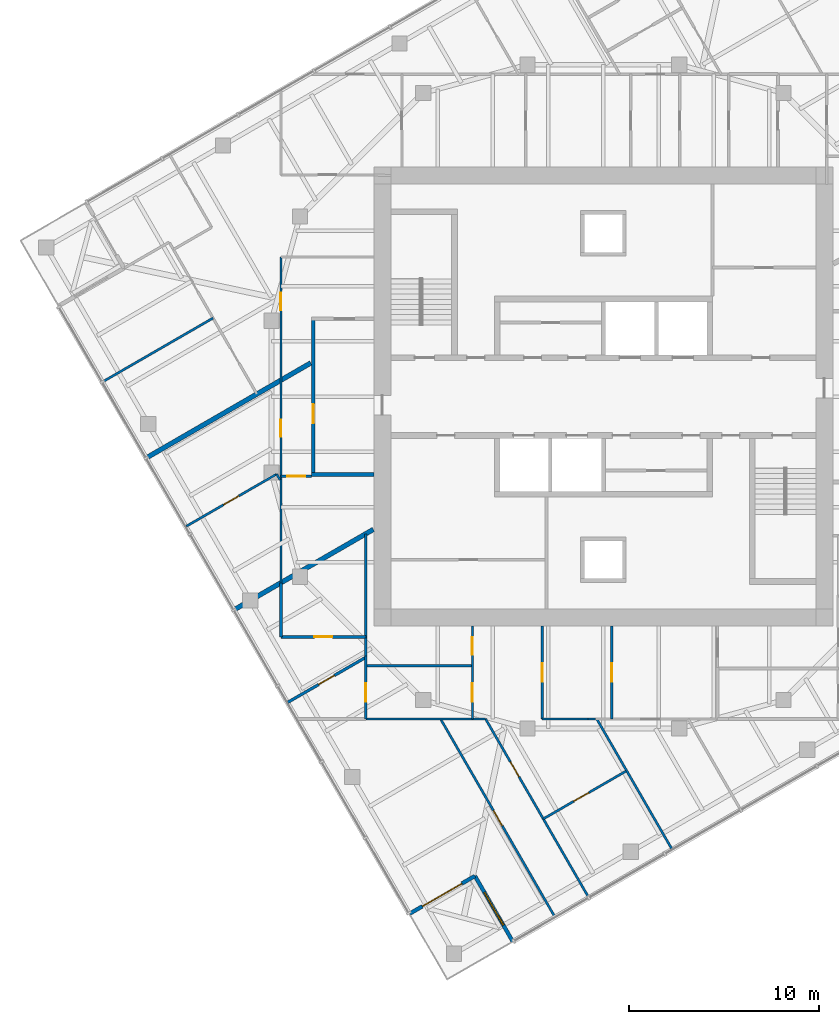
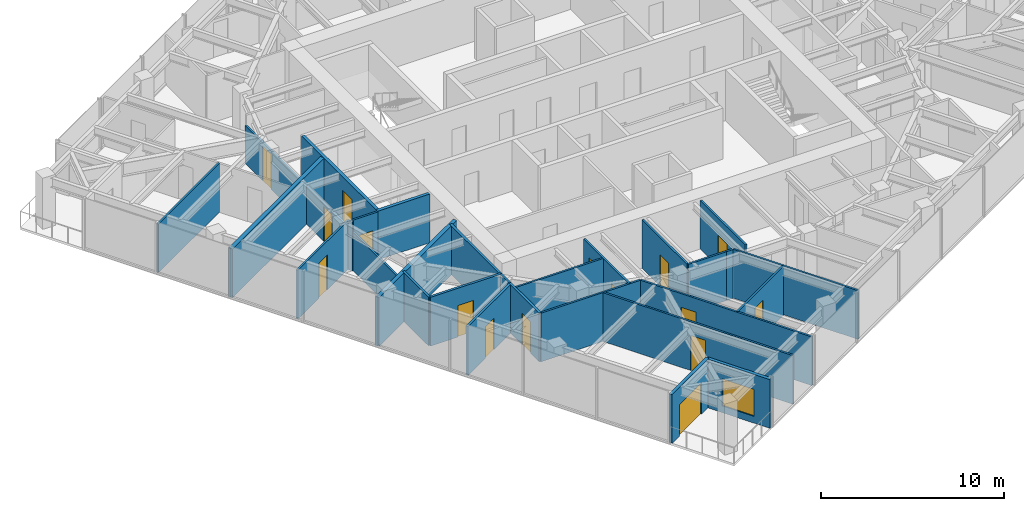
# One storey, part 7 of 13: 28 walls, 16 doors, 1 window, 17 openings.
"""IFC4 building model written with IfcOpenShell, lengths in metres."""

from ifc_helpers import new_model, si_unit, direction, frame, frame_2d, origin, place, context, subcontext, project, spatial, rectangle, extrude, material, layer, layer_set, type_object, element, fill, save


model = new_model("IFC4")

# Units and contexts
model_context = context("Model", 3, precision=1e-05, world=origin(), true_north=direction((0.0, 1.0)))
body_context = subcontext(model_context, "Body", "Model", "MODEL_VIEW")
ifc_project = project(units=[si_unit("LENGTHUNIT", "METRE"), si_unit("AREAUNIT", "SQUARE_METRE"), si_unit("VOLUMEUNIT", "CUBIC_METRE"), si_unit("PLANEANGLEUNIT", "RADIAN"), si_unit("MASSUNIT", "GRAM", prefix="KILO")], contexts=[model_context])

# Site, building, storey
site_placement = place(None, origin())
site = spatial("IfcSite", under=ifc_project, at=site_placement, CompositionType="ELEMENT")
building_placement = place(site_placement, origin())
building = spatial("IfcBuilding", under=site, at=building_placement, Name="Torsade Residences", CompositionType="ELEMENT")
storey_placement = place(building_placement, frame((0.0, 0.0, 215.0)))
storey = spatial("IfcBuildingStorey", under=building, at=storey_placement, Name="L59", CompositionType="ELEMENT", Elevation=215.0)

# Wall, opening, door
ifc_material_1 = material(Name="Plasterboard on steel stud", Category="steel")
ifc_layer_1 = layer(ifc_material_1, 0.199951171875)
ifc_layer_set_1 = layer_set([ifc_layer_1], Name="Plasterboard on steel stud")
wall_type_1 = type_object("IfcWallType", Name="CORRIDOR WALL 200", PredefinedType="PARTITIONING", material=ifc_layer_set_1)
wall_1_placement = place(storey_placement, frame((24.699951171875, 25.89990234375, 0.0), z_axis=(0.0, 0.0, 1.0), x_axis=(0.0, 1.0, 0.0)))
wall_1 = element("IfcWall", 1, at=wall_1_placement, inside=storey, type_object=wall_type_1, Name="Corridor wall L59", PredefinedType="PARTITIONING", context=body_context, shape_type="SweptSolid", body=[
    extrude(rectangle(XDim=8.2001953125, YDim=0.199951171875, at=frame_2d((4.10009765625, 0.0))), origin(), (0.0, 0.0, 1.0), 3.25),
])
opening_1_placement = place(wall_1_placement, frame((2.68701171875, 0.0, 0.0)))
opening_1 = element("IfcOpeningElement", 2, at=opening_1_placement, cuts=wall_1, Name="Opening D01", PredefinedType="OPENING", context=body_context, shape_type="SweptSolid", body=[
    extrude(rectangle(XDim=1.02001953125, YDim=2.340087890625, at=frame_2d((0.510009765625, 1.169921875))), frame((0.0, 0.10986328125, 0.0), z_axis=(0.0, -1.0, 0.0), x_axis=(1.0, 0.0, 0.0)), (0.0, 0.0, 1.0), 0.219970703125),
])
ifc_material_2 = material(Name="Solid-core timber fire door", Category="wood")
door_type_1 = type_object("IfcDoorType", Name="APARTMENT ENTRY DOOR 1020x2340", OperationType="NOTDEFINED", PredefinedType="DOOR", material=ifc_material_2)
door_1_placement = place(opening_1_placement, origin())
door_1 = element("IfcDoor", 3, at=door_1_placement, inside=storey, type_object=door_type_1, Name="Door Residential corridor to Kitchen and dining", OperationType="SINGLE_SWING_RIGHT", OverallHeight=2.340087890625, OverallWidth=1.02001953125, PredefinedType="DOOR", context=body_context, shape_type="SweptSolid", body=[
    extrude(rectangle(XDim=1.02001953125, YDim=2.340087890625, at=frame_2d((0.510009765625, 1.169921875))), frame((0.0, 0.02490234375, 0.0), z_axis=(0.0, -1.0, 0.0), x_axis=(1.0, 0.0, 0.0)), (0.0, 0.0, 1.0), 0.050048828125),
])
fill(opening_1, door_1)

# Wall
wall_2_placement = place(storey_placement, frame((27.89990234375, 25.89990234375, 0.0), z_axis=(0.0, 0.0, 1.0), x_axis=(-1.0, 0.0, 0.0)))
element("IfcWall", 4, at=wall_2_placement, inside=storey, type_object=wall_type_1, Name="Corridor wall L59", PredefinedType="PARTITIONING", context=body_context, shape_type="SweptSolid", body=[
    extrude(rectangle(XDim=3.2998046875, YDim=0.199951171875, at=frame_2d((1.64990234375, 0.0))), origin(), (0.0, 0.0, 1.0), 3.25),
])

# Wall, opening, door
ifc_material_3 = material(Name="Plasterboard on steel stud", Category="steel")
ifc_layer_2 = layer(ifc_material_3, 0.1201171875)
ifc_layer_set_2 = layer_set([ifc_layer_2], Name="Plasterboard on steel stud")
wall_type_2 = type_object("IfcWallType", Name="PARTITION 120", PredefinedType="PARTITIONING", material=ifc_layer_set_2)
wall_3_placement = place(storey_placement, frame((24.60009765625, 25.800048828125, 0.0), z_axis=(0.0, 0.0, 1.0), x_axis=(-1.0, 0.0, 0.0)))
wall_3 = element("IfcWall", 5, at=wall_3_placement, inside=storey, type_object=wall_type_2, Name="Partition L59", PredefinedType="PARTITIONING", context=body_context, shape_type="SweptSolid", body=[
    extrude(rectangle(XDim=1.60009765625, YDim=0.1201171875, at=frame_2d((0.800048828125, 0.0))), origin(), (0.0, 0.0, 1.0), 3.25),
])
opening_2_placement = place(wall_3_placement, frame((0.320068359375, 0.0, 0.0)))
opening_2 = element("IfcOpeningElement", 6, at=opening_2_placement, cuts=wall_3, Name="Opening D05", PredefinedType="OPENING", context=body_context, shape_type="SweptSolid", body=[
    extrude(rectangle(XDim=0.9599609375, YDim=2.10009765625, at=frame_2d((0.47998046875, 1.050048828125))), frame((0.0, 0.070068359375, 0.0), z_axis=(0.0, -1.0, 0.0), x_axis=(1.0, 0.0, 0.0)), (0.0, 0.0, 1.0), 0.14013671875),
])
ifc_material_4 = material(Name="Hollow-core timber door in a steel cavity frame", Category="steel")
door_type_2 = type_object("IfcDoorType", Name="BATHROOM CAVITY SLIDING DOOR 960", OperationType="SLIDING_TO_LEFT", PredefinedType="DOOR", material=ifc_material_4)
door_2_placement = place(opening_2_placement, origin())
door_2 = element("IfcDoor", 7, at=door_2_placement, inside=storey, type_object=door_type_2, Name="Door Kitchen and dining to Bathroom", OperationType="SLIDING_TO_LEFT", OverallHeight=2.10009765625, OverallWidth=0.9599609375, PredefinedType="DOOR", context=body_context, shape_type="SweptSolid", body=[
    extrude(rectangle(XDim=0.9599609375, YDim=2.10009765625, at=frame_2d((0.47998046875, 1.050048828125))), frame((0.0, 0.02490234375, 0.0), z_axis=(0.0, -1.0, 0.0), x_axis=(1.0, 0.0, 0.0)), (0.0, 0.0, 1.0), 0.050048828125),
])
fill(opening_2, door_2)

# Wall, openings, doors
wall_4_placement = place(storey_placement, frame((23.0, 20.18505859375, 0.0), z_axis=(0.0, 0.0, 1.0), x_axis=(0.0, 1.0, 0.0)))
wall_4 = element("IfcWall", 8, at=wall_4_placement, inside=storey, type_object=wall_type_2, Name="Partition L59", PredefinedType="PARTITIONING", context=body_context, shape_type="SweptSolid", body=[
    extrude(rectangle(XDim=17.180419921875, YDim=0.1201171875, at=frame_2d((8.59033203125, 0.0))), origin(), (0.0, 0.0, 1.0), 2.550048828125),
])
opening_3_placement = place(wall_4_placement, frame((7.68798828125, 0.0, 0.0)))
opening_3 = element("IfcOpeningElement", 9, at=opening_3_placement, cuts=wall_4, Name="Opening D02", PredefinedType="OPENING", context=body_context, shape_type="SweptSolid", body=[
    extrude(rectangle(XDim=0.919921875, YDim=2.340087890625, at=frame_2d((0.4599609375, 1.169921875))), frame((0.0, 0.070068359375, 0.0), z_axis=(0.0, -1.0, 0.0), x_axis=(1.0, 0.0, 0.0)), (0.0, 0.0, 1.0), 0.14013671875),
])
opening_4_placement = place(wall_4_placement, frame((14.37060546875, 0.0, 0.0)))
opening_4 = element("IfcOpeningElement", 10, at=opening_4_placement, cuts=wall_4, Name="Opening D02", PredefinedType="OPENING", context=body_context, shape_type="SweptSolid", body=[
    extrude(rectangle(XDim=0.919921875, YDim=2.340087890625, at=frame_2d((0.4599609375, 1.169921875))), frame((0.0, 0.070068359375, 0.0), z_axis=(0.0, -1.0, 0.0), x_axis=(1.0, 0.0, 0.0)), (0.0, 0.0, 1.0), 0.14013671875),
])
ifc_material_5 = material(Name="Hollow-core timber door", Category="wood")
door_type_3 = type_object("IfcDoorType", Name="INTERNAL DOOR 920x2340", OperationType="NOTDEFINED", PredefinedType="DOOR", material=ifc_material_5)
door_3_placement = place(opening_3_placement, origin())
door_3 = element("IfcDoor", 11, at=door_3_placement, inside=storey, type_object=door_type_3, Name="Door Kitchen and dining to Living room", OperationType="SINGLE_SWING_LEFT", OverallHeight=2.340087890625, OverallWidth=0.919921875, PredefinedType="DOOR", context=body_context, shape_type="SweptSolid", body=[
    extrude(rectangle(XDim=0.919921875, YDim=2.340087890625, at=frame_2d((0.4599609375, 1.169921875))), frame((0.0, 0.02490234375, 0.0), z_axis=(0.0, -1.0, 0.0), x_axis=(1.0, 0.0, 0.0)), (0.0, 0.0, 1.0), 0.050048828125),
])
fill(opening_3, door_3)
door_4_placement = place(opening_4_placement, origin())
door_4 = element("IfcDoor", 12, at=door_4_placement, inside=storey, type_object=door_type_3, Name="Door Kitchen and dining to Living room", OperationType="SINGLE_SWING_LEFT", OverallHeight=2.340087890625, OverallWidth=0.919921875, PredefinedType="DOOR", context=body_context, shape_type="SweptSolid", body=[
    extrude(rectangle(XDim=0.919921875, YDim=2.340087890625, at=frame_2d((0.4599609375, 1.169921875))), frame((0.0, 0.02490234375, 0.0), z_axis=(0.0, -1.0, 0.0), x_axis=(1.0, 0.0, 0.0)), (0.0, 0.0, 1.0), 0.050048828125),
])
fill(opening_4, door_4)

# Wall
wall_5_placement = place(storey_placement, frame((22.949951171875, 25.612060546875, 0.0), z_axis=(0.0, 0.0, 1.0), x_axis=(-0.49996389635, 0.866046247233, 0.0)))
element("IfcWall", 13, at=wall_5_placement, inside=storey, type_object=wall_type_2, Name="Partition L59", PredefinedType="PARTITIONING", context=body_context, shape_type="SweptSolid", body=[
    extrude(rectangle(XDim=0.35009765625, YDim=0.1201171875, at=frame_2d((0.175048828125, 0.0))), origin(), (0.0, 0.0, 1.0), 3.25),
])

# Wall, opening, door
wall_6_placement = place(storey_placement, frame((22.77490234375, 25.915283203125, 0.0), z_axis=(0.0, 0.0, 1.0), x_axis=(-0.866019274569, -0.500010615962, 0.0)))
wall_6 = element("IfcWall", 14, at=wall_6_placement, inside=storey, type_object=wall_type_2, Name="Partition L59", PredefinedType="PARTITIONING", context=body_context, shape_type="SweptSolid", body=[
    extrude(rectangle(XDim=5.50048828125, YDim=0.1201171875, at=frame_2d((2.750244140625, 0.0))), origin(), (0.0, 0.0, 1.0), 3.25),
])
opening_5_placement = place(wall_6_placement, frame((2.31005859375, 0.0, 0.0)))
opening_5 = element("IfcOpeningElement", 15, at=opening_5_placement, cuts=wall_6, Name="Opening D02", PredefinedType="OPENING", context=body_context, shape_type="SweptSolid", body=[
    extrude(rectangle(XDim=0.919921875, YDim=2.340087890625, at=frame_2d((0.4599609375, 1.169921875))), frame((0.0, 0.070068359375, 0.0), z_axis=(0.0, -1.0, 0.0), x_axis=(1.0, 0.0, 0.0)), (0.0, 0.0, 1.0), 0.14013671875),
])
door_5_placement = place(opening_5_placement, origin())
door_5 = element("IfcDoor", 16, at=door_5_placement, inside=storey, type_object=door_type_3, Name="Door Living room to Bedroom 1", OperationType="SINGLE_SWING_LEFT", OverallHeight=2.340087890625, OverallWidth=0.919921875, PredefinedType="DOOR", context=body_context, shape_type="SweptSolid", body=[
    extrude(rectangle(XDim=0.919921875, YDim=2.340087890625, at=frame_2d((0.4599609375, 1.169921875))), frame((0.0, 0.02490234375, 0.0), z_axis=(0.0, -1.0, 0.0), x_axis=(1.0, 0.0, 0.0)), (0.0, 0.0, 1.0), 0.050048828125),
])
fill(opening_5, door_5)

# Walls
wall_7_placement = place(storey_placement, frame((27.473388671875, 15.8046875, 0.0), z_axis=(0.0, 0.0, 1.0), x_axis=(1.0, 0.0, 0.0)))
element("IfcWall", 17, at=wall_7_placement, inside=storey, type_object=wall_type_2, Name="Partition L59", PredefinedType="PARTITIONING", context=body_context, shape_type="SweptSolid", body=[
    extrude(rectangle(XDim=5.62451171875, YDim=0.1201171875, at=frame_2d((2.812255859375, 0.0))), origin(), (0.0, 0.0, 1.0), 3.25),
])
wall_8_placement = place(storey_placement, frame((33.79345703125, 13.0, 0.0), z_axis=(0.0, 0.0, 1.0), x_axis=(-1.0, 0.0, 0.0)))
element("IfcWall", 18, at=wall_8_placement, inside=storey, type_object=wall_type_2, Name="Partition L59", PredefinedType="PARTITIONING", context=body_context, shape_type="SweptSolid", body=[
    extrude(rectangle(XDim=6.320068359375, YDim=0.1201171875, at=frame_2d((3.16015625, 0.0))), origin(), (0.0, 0.0, 1.0), 3.25),
])

# Wall, openings, doors
wall_9_placement = place(storey_placement, frame((33.097900390625, 17.89990234375, 0.0), z_axis=(0.0, 0.0, 1.0), x_axis=(0.0, -1.0, 0.0)))
wall_9 = element("IfcWall", 19, at=wall_9_placement, inside=storey, type_object=wall_type_2, Name="Partition L59", PredefinedType="PARTITIONING", context=body_context, shape_type="SweptSolid", body=[
    extrude(rectangle(XDim=4.89990234375, YDim=0.1201171875, at=frame_2d((2.449951171875, 0.0))), origin(), (0.0, 0.0, 1.0), 3.25),
])
opening_6_placement = place(wall_9_placement, frame((3.017578125, 0.0, 0.0)))
opening_6 = element("IfcOpeningElement", 20, at=opening_6_placement, cuts=wall_9, Name="Opening D05", PredefinedType="OPENING", context=body_context, shape_type="SweptSolid", body=[
    extrude(rectangle(XDim=0.9599609375, YDim=2.10009765625, at=frame_2d((0.47998046875, 1.050048828125))), frame((0.0, 0.070068359375, 0.0), z_axis=(0.0, -1.0, 0.0), x_axis=(1.0, 0.0, 0.0)), (0.0, 0.0, 1.0), 0.14013671875),
])
opening_7_placement = place(wall_9_placement, frame((0.587646484375, 0.0, 0.0)))
opening_7 = element("IfcOpeningElement", 21, at=opening_7_placement, cuts=wall_9, Name="Opening D02", PredefinedType="OPENING", context=body_context, shape_type="SweptSolid", body=[
    extrude(rectangle(XDim=0.919921875, YDim=2.340087890625, at=frame_2d((0.4599609375, 1.169921875))), frame((0.0, 0.070068359375, 0.0), z_axis=(0.0, -1.0, 0.0), x_axis=(1.0, 0.0, 0.0)), (0.0, 0.0, 1.0), 0.14013671875),
])
door_6_placement = place(opening_6_placement, origin())
door_6 = element("IfcDoor", 22, at=door_6_placement, inside=storey, type_object=door_type_2, Name="Door Walk-in robe 4 to Bathroom", OperationType="SLIDING_TO_LEFT", OverallHeight=2.10009765625, OverallWidth=0.9599609375, PredefinedType="DOOR", context=body_context, shape_type="SweptSolid", body=[
    extrude(rectangle(XDim=0.9599609375, YDim=2.10009765625, at=frame_2d((0.47998046875, 1.050048828125))), frame((0.0, 0.02490234375, 0.0), z_axis=(0.0, -1.0, 0.0), x_axis=(1.0, 0.0, 0.0)), (0.0, 0.0, 1.0), 0.050048828125),
])
fill(opening_6, door_6)
door_7_placement = place(opening_7_placement, origin())
door_7 = element("IfcDoor", 23, at=door_7_placement, inside=storey, type_object=door_type_3, Name="Door Walk-in robe 4 to Dressing room", OperationType="SINGLE_SWING_LEFT", OverallHeight=2.340087890625, OverallWidth=0.919921875, PredefinedType="DOOR", context=body_context, shape_type="SweptSolid", body=[
    extrude(rectangle(XDim=0.919921875, YDim=2.340087890625, at=frame_2d((0.4599609375, 1.169921875))), frame((0.0, 0.02490234375, 0.0), z_axis=(0.0, -1.0, 0.0), x_axis=(1.0, 0.0, 0.0)), (0.0, 0.0, 1.0), 0.050048828125),
])
fill(opening_7, door_7)

# Wall
wall_10_placement = place(storey_placement, frame((27.473388671875, 16.313720703125, 0.0), z_axis=(0.0, 0.0, 1.0), x_axis=(0.0, 1.0, 0.0)))
element("IfcWall", 24, at=wall_10_placement, inside=storey, type_object=wall_type_2, Name="Partition L59", PredefinedType="PARTITIONING", context=body_context, shape_type="SweptSolid", body=[
    extrude(rectangle(XDim=0.968505859375, YDim=0.1201171875, at=frame_2d((0.484375, 0.0))), origin(), (0.0, 0.0, 1.0), 3.25),
])

# Wall, opening, door
wall_11_placement = place(storey_placement, frame((40.44384765625, 17.89990234375, 0.0), z_axis=(0.0, 0.0, 1.0), x_axis=(0.0, -1.0, 0.0)))
wall_11 = element("IfcWall", 25, at=wall_11_placement, inside=storey, type_object=wall_type_2, Name="Partition L59", PredefinedType="PARTITIONING", context=body_context, shape_type="SweptSolid", body=[
    extrude(rectangle(XDim=4.89990234375, YDim=0.1201171875, at=frame_2d((2.449951171875, 0.0))), origin(), (0.0, 0.0, 1.0), 3.25),
])
opening_8_placement = place(wall_11_placement, frame((1.969970703125, 0.0, 0.0)))
opening_8 = element("IfcOpeningElement", 26, at=opening_8_placement, cuts=wall_11, Name="Opening D05", PredefinedType="OPENING", context=body_context, shape_type="SweptSolid", body=[
    extrude(rectangle(XDim=0.9599609375, YDim=2.10009765625, at=frame_2d((0.47998046875, 1.050048828125))), frame((0.0, 0.070068359375, 0.0), z_axis=(0.0, -1.0, 0.0), x_axis=(1.0, 0.0, 0.0)), (0.0, 0.0, 1.0), 0.14013671875),
])
door_8_placement = place(opening_8_placement, origin())
door_8 = element("IfcDoor", 27, at=door_8_placement, inside=storey, type_object=door_type_2, Name="Door Laundry to Ensuite", OperationType="SLIDING_TO_LEFT", OverallHeight=2.10009765625, OverallWidth=0.9599609375, PredefinedType="DOOR", context=body_context, shape_type="SweptSolid", body=[
    extrude(rectangle(XDim=0.9599609375, YDim=2.10009765625, at=frame_2d((0.47998046875, 1.050048828125))), frame((0.0, 0.02490234375, 0.0), z_axis=(0.0, -1.0, 0.0), x_axis=(1.0, 0.0, 0.0)), (0.0, 0.0, 1.0), 0.050048828125),
])
fill(opening_8, door_8)

# Wall
wall_12_placement = place(storey_placement, frame((39.191650390625, 13.0, 0.0), z_axis=(0.0, 0.0, 1.0), x_axis=(-1.0, 0.0, 0.0)))
element("IfcWall", 28, at=wall_12_placement, inside=storey, type_object=wall_type_2, Name="Partition L59", PredefinedType="PARTITIONING", context=body_context, shape_type="SweptSolid", body=[
    extrude(rectangle(XDim=2.420654296875, YDim=0.1201171875, at=frame_2d((1.21044921875, 0.0))), origin(), (0.0, 0.0, 1.0), 3.25),
])

# Wall, opening, door
wall_13_placement = place(storey_placement, frame((36.77099609375, 13.0, 0.0), z_axis=(0.0, 0.0, 1.0), x_axis=(0.0, 1.0, 0.0)))
wall_13 = element("IfcWall", 29, at=wall_13_placement, inside=storey, type_object=wall_type_2, Name="Partition L59", PredefinedType="PARTITIONING", context=body_context, shape_type="SweptSolid", body=[
    extrude(rectangle(XDim=4.89990234375, YDim=0.1201171875, at=frame_2d((2.449951171875, 0.0))), origin(), (0.0, 0.0, 1.0), 3.25),
])
opening_9_placement = place(wall_13_placement, frame((1.969970703125, 0.0, 0.0)))
opening_9 = element("IfcOpeningElement", 30, at=opening_9_placement, cuts=wall_13, Name="Opening D05", PredefinedType="OPENING", context=body_context, shape_type="SweptSolid", body=[
    extrude(rectangle(XDim=0.9599609375, YDim=2.10009765625, at=frame_2d((0.47998046875, 1.050048828125))), frame((0.0, 0.070068359375, 0.0), z_axis=(0.0, -1.0, 0.0), x_axis=(1.0, 0.0, 0.0)), (0.0, 0.0, 1.0), 0.14013671875),
])
door_9_placement = place(opening_9_placement, origin())
door_9 = element("IfcDoor", 31, at=door_9_placement, inside=storey, type_object=door_type_2, Name="Door Ensuite to Walk-in robe 4", OperationType="SLIDING_TO_LEFT", OverallHeight=2.10009765625, OverallWidth=0.9599609375, PredefinedType="DOOR", context=body_context, shape_type="SweptSolid", body=[
    extrude(rectangle(XDim=0.9599609375, YDim=2.10009765625, at=frame_2d((0.47998046875, 1.050048828125))), frame((0.0, 0.02490234375, 0.0), z_axis=(0.0, -1.0, 0.0), x_axis=(1.0, 0.0, 0.0)), (0.0, 0.0, 1.0), 0.050048828125),
])
fill(opening_9, door_9)

wall_14_placement = place(storey_placement, frame((31.41943359375, 13.0, 0.0), z_axis=(0.0, 0.0, 1.0), x_axis=(0.499996550604, -0.866027395285, 0.0)))
wall_14 = element("IfcWall", 32, at=wall_14_placement, inside=storey, type_object=wall_type_2, Name="Partition L59", PredefinedType="PARTITIONING", context=body_context, shape_type="SweptSolid", body=[
    extrude(rectangle(XDim=12.02783203125, YDim=0.1201171875, at=frame_2d((6.013916015625, 0.0))), origin(), (0.0, 0.0, 1.0), 3.25),
])
opening_10_placement = place(wall_14_placement, frame((5.573974609375, 0.0, 0.0)))
opening_10 = element("IfcOpeningElement", 33, at=opening_10_placement, cuts=wall_14, Name="Opening D02", PredefinedType="OPENING", context=body_context, shape_type="SweptSolid", body=[
    extrude(rectangle(XDim=0.919921875, YDim=2.340087890625, at=frame_2d((0.4599609375, 1.169921875))), frame((0.0, 0.070068359375, 0.0), z_axis=(0.0, -1.0, 0.0), x_axis=(1.0, 0.0, 0.0)), (0.0, 0.0, 1.0), 0.14013671875),
])
door_10_placement = place(opening_10_placement, origin())
door_10 = element("IfcDoor", 34, at=door_10_placement, inside=storey, type_object=door_type_3, Name="Door Walk-in robe 2 to Living room", OperationType="SINGLE_SWING_LEFT", OverallHeight=2.340087890625, OverallWidth=0.919921875, PredefinedType="DOOR", context=body_context, shape_type="SweptSolid", body=[
    extrude(rectangle(XDim=0.919921875, YDim=2.340087890625, at=frame_2d((0.4599609375, 1.169921875))), frame((0.0, 0.02490234375, 0.0), z_axis=(0.0, -1.0, 0.0), x_axis=(1.0, 0.0, 0.0)), (0.0, 0.0, 1.0), 0.050048828125),
])
fill(opening_10, door_10)

# Wall
wall_15_placement = place(storey_placement, frame((43.609130859375, 6.149169921875, 0.0), z_axis=(0.0, 0.0, 1.0), x_axis=(-0.500022546589, 0.866012386114, 0.0)))
element("IfcWall", 35, at=wall_15_placement, inside=storey, type_object=wall_type_2, Name="Partition L59", PredefinedType="PARTITIONING", context=body_context, shape_type="SweptSolid", body=[
    extrude(rectangle(XDim=7.910888671875, YDim=0.1201171875, at=frame_2d((3.95556640625, 0.0))), origin(), (0.0, 0.0, 1.0), 3.25),
])

# Wall, opening, door
wall_16_placement = place(storey_placement, frame((33.79345703125, 13.0, 0.0), z_axis=(0.0, 0.0, 1.0), x_axis=(0.499999922276, -0.866025448659, 0.0)))
wall_16 = element("IfcWall", 36, at=wall_16_placement, inside=storey, type_object=wall_type_2, Name="Partition L59", PredefinedType="PARTITIONING", context=body_context, shape_type="SweptSolid", body=[
    extrude(rectangle(XDim=10.8408203125, YDim=0.1201171875, at=frame_2d((5.42041015625, 0.0))), origin(), (0.0, 0.0, 1.0), 3.25),
])
opening_11_placement = place(wall_16_placement, frame((2.603515625, 0.0, 0.0)))
opening_11 = element("IfcOpeningElement", 37, at=opening_11_placement, cuts=wall_16, Name="Opening D02", PredefinedType="OPENING", context=body_context, shape_type="SweptSolid", body=[
    extrude(rectangle(XDim=0.919921875, YDim=2.340087890625, at=frame_2d((0.4599609375, 1.169921875))), frame((0.0, 0.070068359375, 0.0), z_axis=(0.0, -1.0, 0.0), x_axis=(1.0, 0.0, 0.0)), (0.0, 0.0, 1.0), 0.14013671875),
])
door_11_placement = place(opening_11_placement, origin())
door_11 = element("IfcDoor", 38, at=door_11_placement, inside=storey, type_object=door_type_3, Name="Door Walk-in robe 4 to Walk-in robe 2", OperationType="SINGLE_SWING_RIGHT", OverallHeight=2.340087890625, OverallWidth=0.919921875, PredefinedType="DOOR", context=body_context, shape_type="SweptSolid", body=[
    extrude(rectangle(XDim=0.919921875, YDim=2.340087890625, at=frame_2d((0.4599609375, 1.169921875))), frame((0.0, 0.02490234375, 0.0), z_axis=(0.0, -1.0, 0.0), x_axis=(1.0, 0.0, 0.0)), (0.0, 0.0, 1.0), 0.050048828125),
])
fill(opening_11, door_11)

wall_17_placement = place(storey_placement, frame((36.83203125, 7.7373046875, 0.0), z_axis=(0.0, 0.0, 1.0), x_axis=(0.866014397438, 0.500019063067, 0.0)))
wall_17 = element("IfcWall", 39, at=wall_17_placement, inside=storey, type_object=wall_type_2, Name="Partition L59", PredefinedType="PARTITIONING", context=body_context, shape_type="SweptSolid", body=[
    extrude(rectangle(XDim=5.034912109375, YDim=0.1201171875, at=frame_2d((2.517578125, 0.0))), origin(), (0.0, 0.0, 1.0), 3.25),
])
opening_12_placement = place(wall_17_placement, frame((1.8525390625, 0.0, 0.0)))
opening_12 = element("IfcOpeningElement", 40, at=opening_12_placement, cuts=wall_17, Name="Opening D02", PredefinedType="OPENING", context=body_context, shape_type="SweptSolid", body=[
    extrude(rectangle(XDim=0.919921875, YDim=2.340087890625, at=frame_2d((0.4599609375, 1.169921875))), frame((0.0, 0.070068359375, 0.0), z_axis=(0.0, -1.0, 0.0), x_axis=(1.0, 0.0, 0.0)), (0.0, 0.0, 1.0), 0.14013671875),
])
door_12_placement = place(opening_12_placement, origin())
door_12 = element("IfcDoor", 41, at=door_12_placement, inside=storey, type_object=door_type_3, Name="Door Walk-in robe 4 to Media room", OperationType="SINGLE_SWING_LEFT", OverallHeight=2.340087890625, OverallWidth=0.919921875, PredefinedType="DOOR", context=body_context, shape_type="SweptSolid", body=[
    extrude(rectangle(XDim=0.919921875, YDim=2.340087890625, at=frame_2d((0.4599609375, 1.169921875))), frame((0.0, 0.02490234375, 0.0), z_axis=(0.0, -1.0, 0.0), x_axis=(1.0, 0.0, 0.0)), (0.0, 0.0, 1.0), 0.050048828125),
])
fill(opening_12, door_12)

# Walls
wall_18_placement = place(storey_placement, frame((13.611572265625, 30.7861328125, 0.0), z_axis=(0.0, 0.0, 1.0), x_axis=(0.866030409726, 0.499991329354, 0.0)))
element("IfcWall", 42, at=wall_18_placement, inside=storey, type_object=wall_type_2, Name="Partition L59", PredefinedType="PARTITIONING", context=body_context, shape_type="SweptSolid", body=[
    extrude(rectangle(XDim=6.70703125, YDim=0.1201171875, at=frame_2d((3.353515625, 0.0))), origin(), (0.0, 0.0, 1.0), 3.25),
])
wall_19_placement = place(storey_placement, frame((39.191650390625, 13.0, 0.0), z_axis=(0.0, 0.0, 1.0), x_axis=(1.0, 0.0, 0.0)))
element("IfcWall", 43, at=wall_19_placement, inside=storey, type_object=wall_type_2, Name="Partition L59", PredefinedType="PARTITIONING", context=body_context, shape_type="SweptSolid", body=[
    extrude(rectangle(XDim=0.404296875, YDim=0.1201171875, at=frame_2d((0.2021484375, 0.0))), origin(), (0.0, 0.0, 1.0), 3.25),
])
ifc_material_6 = material(Name="Masonry-lined stud party wall", Category="masonry")
ifc_layer_3 = layer(ifc_material_6, 0.25)
ifc_layer_set_3 = layer_set([ifc_layer_3], Name="Masonry-lined stud party wall")
wall_type_3 = type_object("IfcWallType", Name="PARTY WALL 250", PredefinedType="PARTITIONING", material=ifc_layer_set_3)
wall_20_placement = place(storey_placement, frame((20.514404296875, 18.75, 0.0), z_axis=(0.0, 0.0, 1.0), x_axis=(0.866020489494, 0.500008511703, 0.0)))
element("IfcWall", 44, at=wall_20_placement, inside=storey, type_object=wall_type_3, Name="Party wall L59", PredefinedType="PARTITIONING", context=body_context, shape_type="SweptSolid", body=[
    extrude(rectangle(XDim=8.495849609375, YDim=0.25, at=frame_2d((4.248046875, 0.0))), origin(), (0.0, 0.0, 1.0), 3.25),
])
wall_21_placement = place(storey_placement, frame((15.889404296875, 26.7607421875, 0.0), z_axis=(0.0, 0.0, 1.0), x_axis=(0.866024190901, 0.50000210077, 0.0)))
element("IfcWall", 45, at=wall_21_placement, inside=storey, type_object=wall_type_3, Name="Party wall L59", PredefinedType="PARTITIONING", context=body_context, shape_type="SweptSolid", body=[
    extrude(rectangle(XDim=10.02587890625, YDim=0.25, at=frame_2d((5.012939453125, 0.0))), origin(), (0.0, 0.0, 1.0), 3.25),
])

# Wall, opening, door
ifc_material_7 = material(Name="Reinforced blockwork", Category="masonry")
ifc_layer_4 = layer(ifc_material_7, 0.14990234375)
ifc_layer_set_4 = layer_set([ifc_layer_4], Name="Reinforced blockwork")
wall_type_4 = type_object("IfcWallType", Name="SERVICE ROOM WALL 150", PredefinedType="SOLIDWALL", material=ifc_layer_set_4)
wall_22_placement = place(storey_placement, frame((27.473388671875, 13.0, 0.0), z_axis=(0.0, 0.0, 1.0), x_axis=(0.0, 1.0, 0.0)))
wall_22 = element("IfcWall", 46, at=wall_22_placement, inside=storey, type_object=wall_type_4, Name="Service room wall L59", PredefinedType="SOLIDWALL", context=body_context, shape_type="SweptSolid", body=[
    extrude(rectangle(XDim=3.313720703125, YDim=0.14990234375, at=frame_2d((1.65673828125, 0.0))), origin(), (0.0, 0.0, 1.0), 3.25),
])
opening_13_placement = place(wall_22_placement, frame((0.92236328125, 0.0, 0.0)))
opening_13 = element("IfcOpeningElement", 47, at=opening_13_placement, cuts=wall_22, Name="Opening D05", PredefinedType="OPENING", context=body_context, shape_type="SweptSolid", body=[
    extrude(rectangle(XDim=0.9599609375, YDim=2.10009765625, at=frame_2d((0.47998046875, 1.050048828125))), frame((0.0, 0.0849609375, 0.0), z_axis=(0.0, -1.0, 0.0), x_axis=(1.0, 0.0, 0.0)), (0.0, 0.0, 1.0), 0.169921875),
])
door_13_placement = place(opening_13_placement, origin())
door_13 = element("IfcDoor", 48, at=door_13_placement, inside=storey, type_object=door_type_2, Name="Door Bathroom to Linen store 5", OperationType="SLIDING_TO_LEFT", OverallHeight=2.10009765625, OverallWidth=0.9599609375, PredefinedType="DOOR", context=body_context, shape_type="SweptSolid", body=[
    extrude(rectangle(XDim=0.9599609375, YDim=2.10009765625, at=frame_2d((0.47998046875, 1.050048828125))), frame((0.0, 0.02490234375, 0.0), z_axis=(0.0, -1.0, 0.0), x_axis=(1.0, 0.0, 0.0)), (0.0, 0.0, 1.0), 0.050048828125),
])
fill(opening_13, door_13)

# Walls
wall_23_placement = place(storey_placement, frame((27.473388671875, 17.2822265625, 0.0), z_axis=(0.0, 0.0, 1.0), x_axis=(0.0, 1.0, 0.0)))
element("IfcWall", 49, at=wall_23_placement, inside=storey, type_object=wall_type_4, Name="Service room wall L59", PredefinedType="SOLIDWALL", context=body_context, shape_type="SweptSolid", body=[
    extrude(rectangle(XDim=5.4853515625, YDim=0.14990234375, at=frame_2d((2.74267578125, 0.0))), origin(), (0.0, 0.0, 1.0), 3.25),
])
wall_24_placement = place(storey_placement, frame((23.0, 20.18505859375, 0.0), z_axis=(0.0, 0.0, 1.0), x_axis=(0.0, -1.0, 0.0)))
element("IfcWall", 50, at=wall_24_placement, inside=storey, type_object=wall_type_4, Name="Service room wall L59", PredefinedType="SOLIDWALL", context=body_context, shape_type="SweptSolid", body=[
    extrude(rectangle(XDim=2.852783203125, YDim=0.14990234375, at=frame_2d((1.42626953125, 0.0))), origin(), (0.0, 0.0, 1.0), 3.25),
])

# Wall, opening, door
wall_25_placement = place(storey_placement, frame((23.0, 17.332275390625, 0.0), z_axis=(0.0, 0.0, 1.0), x_axis=(1.0, 0.0, 0.0)))
wall_25 = element("IfcWall", 51, at=wall_25_placement, inside=storey, type_object=wall_type_4, Name="Service room wall L59", PredefinedType="SOLIDWALL", context=body_context, shape_type="SweptSolid", body=[
    extrude(rectangle(XDim=4.473388671875, YDim=0.14990234375, at=frame_2d((2.23681640625, 0.0))), origin(), (0.0, 0.0, 1.0), 3.25),
])
opening_14_placement = place(wall_25_placement, frame((1.756591796875, 0.0, 0.0)))
opening_14 = element("IfcOpeningElement", 52, at=opening_14_placement, cuts=wall_25, Name="Opening D05", PredefinedType="OPENING", context=body_context, shape_type="SweptSolid", body=[
    extrude(rectangle(XDim=0.9599609375, YDim=2.10009765625, at=frame_2d((0.47998046875, 1.050048828125))), frame((0.0, 0.0849609375, 0.0), z_axis=(0.0, -1.0, 0.0), x_axis=(1.0, 0.0, 0.0)), (0.0, 0.0, 1.0), 0.169921875),
])
door_14_placement = place(opening_14_placement, origin())
door_14 = element("IfcDoor", 53, at=door_14_placement, inside=storey, type_object=door_type_2, Name="Door WC to Linen store", OperationType="SLIDING_TO_LEFT", OverallHeight=2.10009765625, OverallWidth=0.9599609375, PredefinedType="DOOR", context=body_context, shape_type="SweptSolid", body=[
    extrude(rectangle(XDim=0.9599609375, YDim=2.10009765625, at=frame_2d((0.47998046875, 1.050048828125))), frame((0.0, 0.02490234375, 0.0), z_axis=(0.0, -1.0, 0.0), x_axis=(1.0, 0.0, 0.0)), (0.0, 0.0, 1.0), 0.050048828125),
])
fill(opening_14, door_14)

wall_26_placement = place(storey_placement, frame((27.473388671875, 16.255859375, 0.0), z_axis=(0.0, 0.0, 1.0), x_axis=(-0.866047486323, -0.49996174997, 0.0)))
wall_26 = element("IfcWall", 54, at=wall_26_placement, inside=storey, type_object=wall_type_4, Name="Service room wall L59", PredefinedType="SOLIDWALL", context=body_context, shape_type="SweptSolid", body=[
    extrude(rectangle(XDim=4.739501953125, YDim=0.14990234375, at=frame_2d((2.36962890625, 0.0))), origin(), (0.0, 0.0, 1.0), 3.25),
])
opening_15_placement = place(wall_26_placement, frame((1.90966796875, 0.0, 0.0)))
opening_15 = element("IfcOpeningElement", 55, at=opening_15_placement, cuts=wall_26, Name="Opening D05", PredefinedType="OPENING", context=body_context, shape_type="SweptSolid", body=[
    extrude(rectangle(XDim=0.9599609375, YDim=2.10009765625, at=frame_2d((0.47998046875, 1.050048828125))), frame((0.0, 0.0849609375, 0.0), z_axis=(0.0, -1.0, 0.0), x_axis=(1.0, 0.0, 0.0)), (0.0, 0.0, 1.0), 0.169921875),
])
door_15_placement = place(opening_15_placement, origin())
door_15 = element("IfcDoor", 56, at=door_15_placement, inside=storey, type_object=door_type_2, Name="Door Linen store 5 to WC", OperationType="SLIDING_TO_LEFT", OverallHeight=2.10009765625, OverallWidth=0.9599609375, PredefinedType="DOOR", context=body_context, shape_type="SweptSolid", body=[
    extrude(rectangle(XDim=0.9599609375, YDim=2.10009765625, at=frame_2d((0.47998046875, 1.050048828125))), frame((0.0, 0.02490234375, 0.0), z_axis=(0.0, -1.0, 0.0), x_axis=(1.0, 0.0, 0.0)), (0.0, 0.0, 1.0), 0.050048828125),
])
fill(opening_15, door_15)

ifc_material_8 = material(Name="Stone-faced precast concrete 40 MPa panel", Category="masonry")
ifc_layer_5 = layer(ifc_material_8, 0.199951171875)
ifc_layer_set_5 = layer_set([ifc_layer_5], Name="Stone-faced precast concrete 40 MPa panel")
wall_type_5 = type_object("IfcWallType", Name="TERRACE WALL 200", PredefinedType="SOLIDWALL", material=ifc_layer_set_5)
wall_27_placement = place(storey_placement, frame((29.764404296875, 2.728515625, 0.0), z_axis=(0.0, 0.0, 1.0), x_axis=(0.866026010844, 0.49999894854, 0.0)))
wall_27 = element("IfcWall", 57, at=wall_27_placement, inside=storey, type_object=wall_type_5, Name="Terrace wall L59 11", PredefinedType="SOLIDWALL", context=body_context, shape_type="SweptSolid", body=[
    extrude(rectangle(XDim=4.0, YDim=0.199951171875, at=frame_2d((2.0, 0.0))), origin(), (0.0, 0.0, 1.0), 3.25),
])
opening_16_placement = place(wall_27_placement, frame((0.800048828125, 0.0, 0.0)))
opening_16 = element("IfcOpeningElement", 58, at=opening_16_placement, cuts=wall_27, Name="Opening D10A", PredefinedType="OPENING", context=body_context, shape_type="SweptSolid", body=[
    extrude(rectangle(XDim=2.39990234375, YDim=2.10009765625, at=frame_2d((1.199951171875, 1.050048828125))), frame((0.0, 0.10986328125, 0.0), z_axis=(0.0, -1.0, 0.0), x_axis=(1.0, 0.0, 0.0)), (0.0, 0.0, 1.0), 0.219970703125),
])
ifc_material_9 = material(Name="Aluminium-framed glass door", Category="aluminium")
door_type_4 = type_object("IfcDoorType", Name="TERRACE SLIDING DOOR 2400x2100", OperationType="SLIDING_TO_LEFT", PredefinedType="DOOR", material=ifc_material_9)
door_16_placement = place(opening_16_placement, origin())
door_16 = element("IfcDoor", 59, at=door_16_placement, inside=storey, type_object=door_type_4, Name="Terrace door L59 11", OperationType="SLIDING_TO_LEFT", OverallHeight=2.10009765625, OverallWidth=2.39990234375, PredefinedType="DOOR", context=body_context, shape_type="SweptSolid", body=[
    extrude(rectangle(XDim=2.39990234375, YDim=2.10009765625, at=frame_2d((1.199951171875, 1.050048828125))), frame((0.0, 0.02490234375, 0.0), z_axis=(0.0, -1.0, 0.0), x_axis=(1.0, 0.0, 0.0)), (0.0, 0.0, 1.0), 0.050048828125),
])
fill(opening_16, door_16)

# Wall, opening, window
wall_28_placement = place(storey_placement, frame((33.228515625, 4.728515625, 0.0), z_axis=(0.0, 0.0, 1.0), x_axis=(0.49999894854, -0.866026010844, 0.0)))
wall_28 = element("IfcWall", 60, at=wall_28_placement, inside=storey, type_object=wall_type_5, Name="Terrace wall L59 12", PredefinedType="SOLIDWALL", context=body_context, shape_type="SweptSolid", body=[
    extrude(rectangle(XDim=4.0, YDim=0.199951171875, at=frame_2d((2.0, 0.0))), origin(), (0.0, 0.0, 1.0), 3.25),
])
opening_17_placement = place(wall_28_placement, frame((1.0, 0.0, 0.449951171875)))
opening_17 = element("IfcOpeningElement", 61, at=opening_17_placement, cuts=wall_28, Name="Opening W1B", PredefinedType="OPENING", context=body_context, shape_type="SweptSolid", body=[
    extrude(rectangle(XDim=2.0, YDim=1.800048828125, at=frame_2d((1.0, 0.89990234375))), frame((0.0, 0.10986328125, 0.0), z_axis=(0.0, -1.0, 0.0), x_axis=(1.0, 0.0, 0.0)), (0.0, 0.0, 1.0), 0.219970703125),
])
ifc_material_10 = material(Name="Aluminium-framed glass window", Category="aluminium")
window_type = type_object("IfcWindowType", Name="TERRACE WINDOW 2000x1800", PartitioningType="SINGLE_PANEL", PredefinedType="WINDOW", material=ifc_material_10)
window_placement = place(opening_17_placement, origin())
window = element("IfcWindow", 62, at=window_placement, inside=storey, type_object=window_type, Name="Terrace window L59 12", OverallHeight=1.800048828125, OverallWidth=2.0, PartitioningType="SINGLE_PANEL", PredefinedType="WINDOW", context=body_context, shape_type="SweptSolid", body=[
    extrude(rectangle(XDim=2.0, YDim=1.800048828125, at=frame_2d((1.0, 0.89990234375))), frame((0.0, 0.030029296875, 0.0), z_axis=(0.0, -1.0, 0.0), x_axis=(1.0, 0.0, 0.0)), (0.0, 0.0, 1.0), 0.06005859375),
])
fill(opening_17, window)

save(model, "model.ifc")
